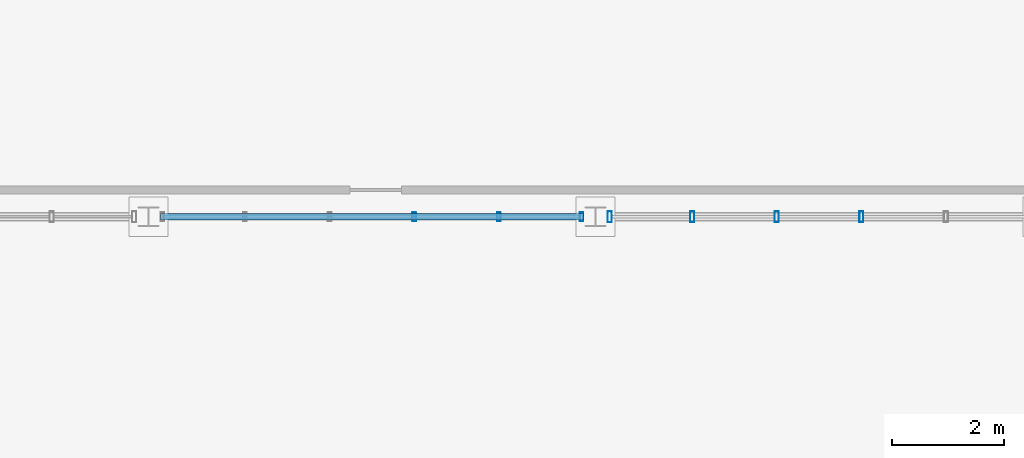
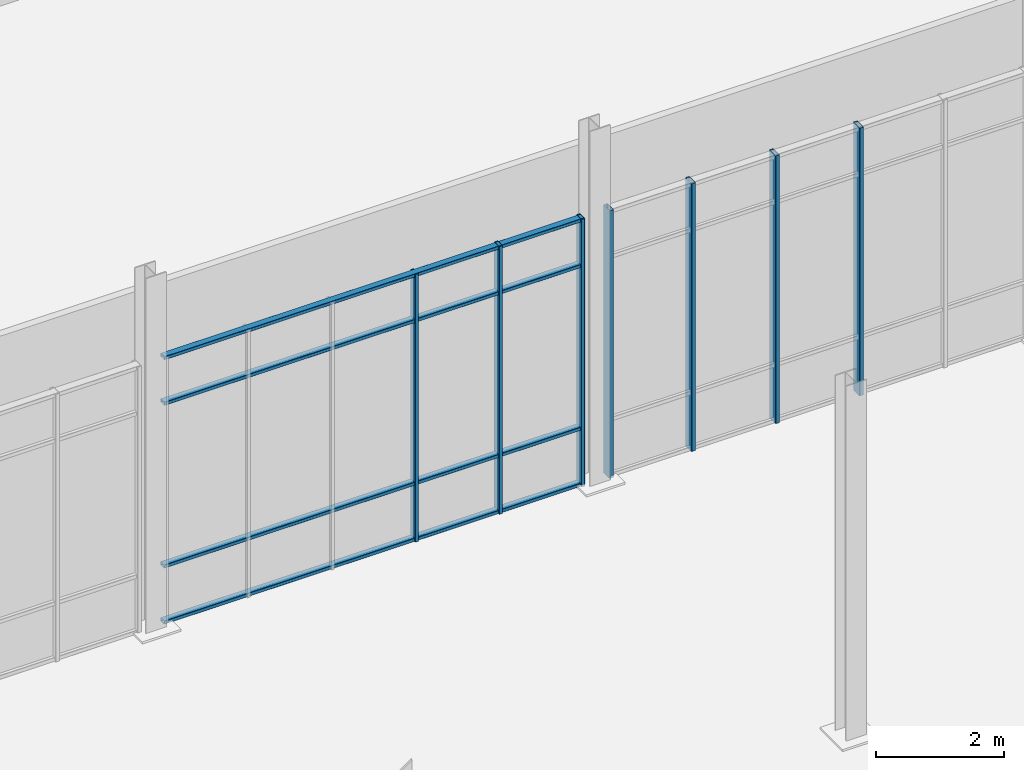
# One storey, part 94 of 140: 11 members, 2 elements without a shape of their own.
"""IFC4 building model written with IfcOpenShell, lengths in metres."""

from ifc_helpers import new_model, si_unit, direction, frame, origin, origin_2d, place, context, subcontext, project, spatial, hollow_rectangle, extrude, material, material_profile, profile_set, type_object, element, aggregate, save


model = new_model("IFC4")

# Units and contexts
model_context = context("Model", 3, precision=1e-05, world=origin(), true_north=direction((0.0, 1.0)))
body_context = subcontext(model_context, "Body", "Model", "MODEL_VIEW")
ifc_project = project(units=[si_unit("LENGTHUNIT", "METRE"), si_unit("AREAUNIT", "SQUARE_METRE"), si_unit("VOLUMEUNIT", "CUBIC_METRE"), si_unit("PLANEANGLEUNIT", "RADIAN"), si_unit("MASSUNIT", "GRAM", prefix="KILO")], contexts=[model_context])

# Site, building, storey
site_placement = place(None, origin())
site = spatial("IfcSite", under=ifc_project, at=site_placement, CompositionType="ELEMENT")
building_placement = place(site_placement, origin())
building = spatial("IfcBuilding", under=site, at=building_placement, Name="Verrall Gate Interchange", CompositionType="ELEMENT")
storey_placement = place(building_placement, origin())
storey = spatial("IfcBuildingStorey", under=building, at=storey_placement, Name="L01", CompositionType="ELEMENT", Elevation=0.0)

# Curtain wall, members
ifc_material_1 = material(Name="Thermally Broken Anodized Aluminium Curtain Wall Framing", Category="aluminium")
curtain_wall_type = type_object("IfcCurtainWallType", Name="CW-06 Unitized Curtain Wall 7631x5100", PredefinedType="NOTDEFINED", material=ifc_material_1)
curtain_wall_1_placement = place(storey_placement, origin())
curtain_wall_1 = element("IfcCurtainWall", 1, at=curtain_wall_1_placement, inside=storey, type_object=curtain_wall_type, Name="L01 Unitized Curtain Wall CW-L01-026", PredefinedType="NOTDEFINED")
ifc_material_2 = material(Name="Thermally Broken Anodized Aluminium Curtain Wall Framing", Category="aluminium")
ifc_material_profile_1 = material_profile(ifc_material_2, hollow_rectangle(XDim=0.06494140625, YDim=0.159912109375, WallThickness=0.00390625, InnerFilletRadius=0.00390625, OuterFilletRadius=0.008056640625, at=origin_2d()), Name="CWM160x65x4")
ifc_profile_set_1 = profile_set([ifc_material_profile_1], Name="Thermally Broken Anodized Aluminium Curtain Wall Framing")
member_type_1 = type_object("IfcMemberType", Name="CM-01 Curtain Mullion CWM160x65x4", PredefinedType="MULLION", material=ifc_profile_set_1)
member_1_placement = place(storey_placement, frame((128.756591796875, 74.0, 0.0), z_axis=(0.0, 0.0, 1.0), x_axis=(1.0, 0.0, 0.0)))
member_1 = element("IfcMember", 2, at=member_1_placement, type_object=member_type_1, Name="CW-L01-026 Mullion 4", PredefinedType="MULLION", context=body_context, shape_type="SweptSolid", body=[
    extrude(hollow_rectangle(XDim=0.06494140625, YDim=0.159912109375, WallThickness=0.00390625, InnerFilletRadius=0.00390625, OuterFilletRadius=0.008056640625, at=origin_2d()), origin(), (0.0, 0.0, 1.0), 5.10009765625),
])
member_2_placement = place(storey_placement, frame((130.27001953125, 74.0, 0.0), z_axis=(0.0, 0.0, 1.0), x_axis=(1.0, 0.0, 0.0)))
member_2 = element("IfcMember", 3, at=member_2_placement, type_object=member_type_1, Name="CW-L01-026 Mullion 5", PredefinedType="MULLION", context=body_context, shape_type="SweptSolid", body=[
    extrude(hollow_rectangle(XDim=0.06494140625, YDim=0.159912109375, WallThickness=0.00390625, InnerFilletRadius=0.00390625, OuterFilletRadius=0.008056640625, at=origin_2d()), origin(), (0.0, 0.0, 1.0), 5.10009765625),
])
member_3_placement = place(storey_placement, frame((131.7509765625, 74.0, 0.0), z_axis=(0.0, 0.0, 1.0), x_axis=(1.0, 0.0, 0.0)))
member_3 = element("IfcMember", 4, at=member_3_placement, type_object=member_type_1, Name="CW-L01-026 Mullion 6", PredefinedType="MULLION", context=body_context, shape_type="SweptSolid", body=[
    extrude(hollow_rectangle(XDim=0.06494140625, YDim=0.159912109375, WallThickness=0.00390625, InnerFilletRadius=0.00390625, OuterFilletRadius=0.008056640625, at=origin_2d()), origin(), (0.0, 0.0, 1.0), 5.10009765625),
])

curtain_wall_2_placement = place(storey_placement, origin())
curtain_wall_2 = element("IfcCurtainWall", 5, at=curtain_wall_2_placement, inside=storey, type_object=curtain_wall_type, Name="L01 Unitized Curtain Wall CW-L01-027", PredefinedType="NOTDEFINED")
ifc_material_3 = material(Name="Thermally Broken Anodized Aluminium Curtain Wall Framing", Category="aluminium")
ifc_material_profile_2 = material_profile(ifc_material_3, hollow_rectangle(XDim=0.074951171875, YDim=0.199951171875, WallThickness=0.0048828125, InnerFilletRadius=0.0048828125, OuterFilletRadius=0.010009765625, at=origin_2d()), Name="CWM200x75x5")
ifc_profile_set_2 = profile_set([ifc_material_profile_2], Name="Thermally Broken Anodized Aluminium Curtain Wall Framing")
member_type_2 = type_object("IfcMemberType", Name="CM-02 Curtain Mullion CWM200x75x5", PredefinedType="MULLION", material=ifc_profile_set_2)
member_4_placement = place(storey_placement, frame((132.25390625, 74.0, 0.0), z_axis=(0.0, 0.0, 1.0), x_axis=(1.0, 0.0, 0.0)))
member_4 = element("IfcMember", 6, at=member_4_placement, type_object=member_type_2, Name="CW-L01-027 Mullion 1", PredefinedType="MULLION", context=body_context, shape_type="SweptSolid", body=[
    extrude(hollow_rectangle(XDim=0.074951171875, YDim=0.199951171875, WallThickness=0.0048828125, InnerFilletRadius=0.0048828125, OuterFilletRadius=0.010009765625, at=origin_2d()), origin(), (0.0, 0.0, 1.0), 5.10009765625),
])
member_5_placement = place(storey_placement, frame((133.72998046875, 74.0, 0.0), z_axis=(0.0, 0.0, 1.0), x_axis=(1.0, 0.0, 0.0)))
member_5 = element("IfcMember", 7, at=member_5_placement, type_object=member_type_2, Name="CW-L01-027 Mullion 2", PredefinedType="MULLION", context=body_context, shape_type="SweptSolid", body=[
    extrude(hollow_rectangle(XDim=0.074951171875, YDim=0.199951171875, WallThickness=0.0048828125, InnerFilletRadius=0.0048828125, OuterFilletRadius=0.010009765625, at=origin_2d()), origin(), (0.0, 0.0, 1.0), 5.10009765625),
])
member_6_placement = place(storey_placement, frame((135.243408203125, 74.0, 0.0), z_axis=(0.0, 0.0, 1.0), x_axis=(1.0, 0.0, 0.0)))
member_6 = element("IfcMember", 8, at=member_6_placement, type_object=member_type_2, Name="CW-L01-027 Mullion 3", PredefinedType="MULLION", context=body_context, shape_type="SweptSolid", body=[
    extrude(hollow_rectangle(XDim=0.074951171875, YDim=0.199951171875, WallThickness=0.0048828125, InnerFilletRadius=0.0048828125, OuterFilletRadius=0.010009765625, at=origin_2d()), origin(), (0.0, 0.0, 1.0), 5.10009765625),
])
member_7_placement = place(storey_placement, frame((136.756591796875, 74.0, 0.0), z_axis=(0.0, 0.0, 1.0), x_axis=(1.0, 0.0, 0.0)))
member_7 = element("IfcMember", 9, at=member_7_placement, type_object=member_type_2, Name="CW-L01-027 Mullion 4", PredefinedType="MULLION", context=body_context, shape_type="SweptSolid", body=[
    extrude(hollow_rectangle(XDim=0.074951171875, YDim=0.199951171875, WallThickness=0.0048828125, InnerFilletRadius=0.0048828125, OuterFilletRadius=0.010009765625, at=origin_2d()), origin(), (0.0, 0.0, 1.0), 5.10009765625),
])
aggregate(curtain_wall_2, [member_4, member_5, member_6, member_7])

# Member
ifc_material_4 = material(Name="Thermally Broken Anodized Aluminium Curtain Wall Framing", Category="aluminium")
ifc_material_profile_3 = material_profile(ifc_material_4, hollow_rectangle(XDim=0.1201171875, YDim=0.06494140625, WallThickness=0.00390625, InnerFilletRadius=0.00390625, OuterFilletRadius=0.008056640625, at=origin_2d()), Name="CWT120x65x4")
ifc_profile_set_3 = profile_set([ifc_material_profile_3], Name="Thermally Broken Anodized Aluminium Curtain Wall Framing")
member_type_3 = type_object("IfcMemberType", Name="CT-01 Curtain Transom CWT120x65x4", PredefinedType="USERDEFINED", material=ifc_profile_set_3)
member_8_placement = place(storey_placement, frame((124.216552734375, 74.0, 0.032470703125), z_axis=(1.0, 0.0, 0.0), x_axis=(0.0, 1.0, 0.0)))
member_8 = element("IfcMember", 10, at=member_8_placement, type_object=member_type_3, Name="CW-L01-026 Transom 1", ObjectType="TRANSOM", PredefinedType="USERDEFINED", context=body_context, shape_type="SweptSolid", body=[
    extrude(hollow_rectangle(XDim=0.1201171875, YDim=0.06494140625, WallThickness=0.00390625, InnerFilletRadius=0.00390625, OuterFilletRadius=0.008056640625, at=origin_2d()), origin(), (0.0, 0.0, 1.0), 7.56689453125),
])

member_9_placement = place(storey_placement, frame((124.216552734375, 74.0, 1.10009765625), z_axis=(1.0, 0.0, 0.0), x_axis=(0.0, 1.0, 0.0)))
member_9 = element("IfcMember", 11, at=member_9_placement, type_object=member_type_3, Name="CW-L01-026 Transom 2", ObjectType="TRANSOM", PredefinedType="USERDEFINED", context=body_context, shape_type="SweptSolid", body=[
    extrude(hollow_rectangle(XDim=0.1201171875, YDim=0.06494140625, WallThickness=0.00390625, InnerFilletRadius=0.00390625, OuterFilletRadius=0.008056640625, at=origin_2d()), origin(), (0.0, 0.0, 1.0), 7.56689453125),
])

member_10_placement = place(storey_placement, frame((124.216552734375, 74.0, 4.199951171875), z_axis=(1.0, 0.0, 0.0), x_axis=(0.0, 1.0, 0.0)))
member_10 = element("IfcMember", 12, at=member_10_placement, type_object=member_type_3, Name="CW-L01-026 Transom 3", ObjectType="TRANSOM", PredefinedType="USERDEFINED", context=body_context, shape_type="SweptSolid", body=[
    extrude(hollow_rectangle(XDim=0.1201171875, YDim=0.06494140625, WallThickness=0.00390625, InnerFilletRadius=0.00390625, OuterFilletRadius=0.008056640625, at=origin_2d()), origin(), (0.0, 0.0, 1.0), 7.56689453125),
])

member_11_placement = place(storey_placement, frame((124.216552734375, 74.0, 5.0673828125), z_axis=(1.0, 0.0, 0.0), x_axis=(0.0, 1.0, 0.0)))
member_11 = element("IfcMember", 13, at=member_11_placement, type_object=member_type_3, Name="CW-L01-026 Transom 4", ObjectType="TRANSOM", PredefinedType="USERDEFINED", context=body_context, shape_type="SweptSolid", body=[
    extrude(hollow_rectangle(XDim=0.1201171875, YDim=0.06494140625, WallThickness=0.00390625, InnerFilletRadius=0.00390625, OuterFilletRadius=0.008056640625, at=origin_2d()), origin(), (0.0, 0.0, 1.0), 7.56689453125),
])

aggregate(curtain_wall_1, [member_1, member_2, member_3, member_8, member_9, member_10, member_11])

save(model, "model.ifc")
